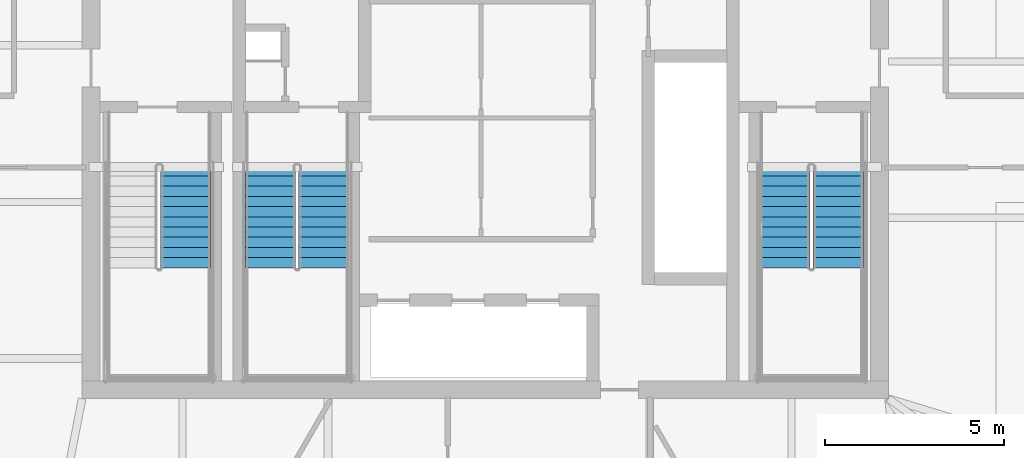
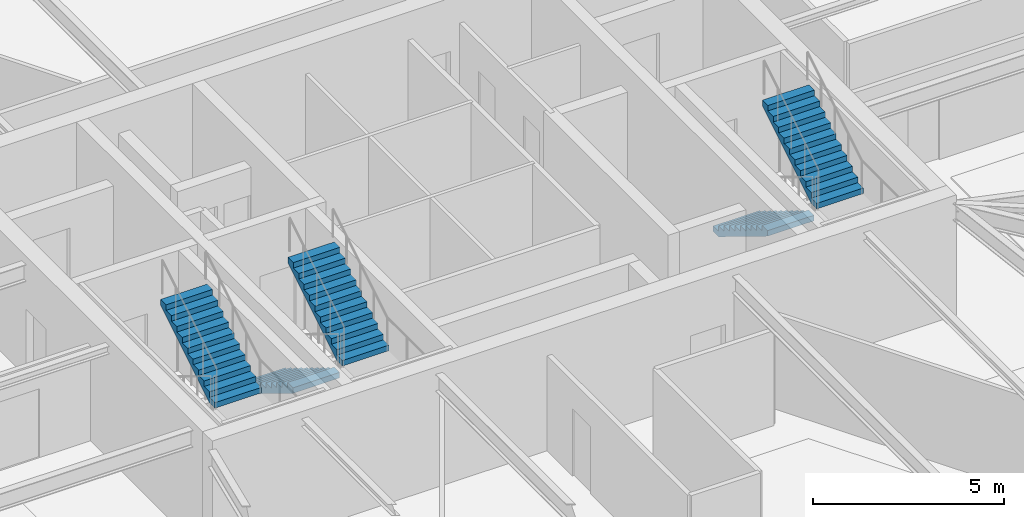
# One storey, part 16 of 20: 5 stair flights, 3 elements without a shape of their own.
"""IFC4 building model written with IfcOpenShell, lengths in metres."""

from ifc_helpers import new_model, si_unit, direction, frame, origin, place, context, subcontext, project, spatial, polyline, outline, extrude, material, type_object, element, aggregate, save


model = new_model("IFC4")

# Units and contexts
model_context = context("Model", 3, precision=1e-05, world=origin(), true_north=direction((0.0, 1.0)))
body_context = subcontext(model_context, "Body", "Model", "MODEL_VIEW")
ifc_project = project(units=[si_unit("LENGTHUNIT", "METRE"), si_unit("AREAUNIT", "SQUARE_METRE"), si_unit("VOLUMEUNIT", "CUBIC_METRE"), si_unit("PLANEANGLEUNIT", "RADIAN"), si_unit("MASSUNIT", "GRAM", prefix="KILO")], contexts=[model_context])

# Site, building, storey
site_placement = place(None, origin())
site = spatial("IfcSite", under=ifc_project, at=site_placement, CompositionType="ELEMENT")
building_placement = place(site_placement, origin())
building = spatial("IfcBuilding", under=site, at=building_placement, Name="Bramvorn Convention Spire", CompositionType="ELEMENT")
storey_placement = place(building_placement, frame((0.0, 0.0, 178.89990234375)))
storey = spatial("IfcBuildingStorey", under=building, at=storey_placement, Name="L45", CompositionType="ELEMENT", Elevation=178.89990234375)

# Stair, stair flight
ifc_material_1 = material(Name="Concrete C40/50 Precast Stair", Category="concrete")
stair_type = type_object("IfcStairType", Name="ST-TOWER-1550", PredefinedType="HALF_TURN_STAIR", material=ifc_material_1)
stair_1_placement = place(storey_placement, origin())
stair_1 = element("IfcStair", 1, at=stair_1_placement, inside=storey, type_object=stair_type, Name="L45 Protected Exit Stair ST1", PredefinedType="HALF_TURN_STAIR")
ifc_material_2 = material(Name="Concrete C40/50 Precast Stair Flight", Category="concrete")
stair_flight_type = type_object("IfcStairFlightType", Name="STF-TOWER-1550", PredefinedType="STRAIGHT", material=ifc_material_2)
stair_flight_1_placement = place(storey_placement, frame((29.64501953125, 22.199951171875, 1.925048828125), z_axis=(0.0, 0.0, 1.0), x_axis=(0.0, 1.0, 0.0)))
stair_flight_1 = element("IfcStairFlight", 2, at=stair_flight_1_placement, type_object=stair_flight_type, Name="ST1 flight 2", NumberOfRisers=11, NumberOfTreads=10, PredefinedType="STRAIGHT", RiserHeight=0.175, TreadLength=0.285, context=body_context, shape_type="SweptSolid", body=[
    extrude(outline(polyline([(0.0, 0.0), (0.0, 0.175048828125), (0.284912109375, 0.175048828125), (0.284912109375, 0.35009765625), (0.570068359375, 0.35009765625), (0.570068359375, 0.52490234375), (0.85498046875, 0.52490234375), (0.85498046875, 0.699951171875), (1.139892578125, 0.699951171875), (1.139892578125, 0.875), (1.425048828125, 0.875), (1.425048828125, 1.050048828125), (1.7099609375, 1.050048828125), (1.7099609375, 1.22509765625), (1.9951171875, 1.22509765625), (1.9951171875, 1.39990234375), (2.280029296875, 1.39990234375), (2.280029296875, 1.574951171875), (2.56494140625, 1.574951171875), (2.56494140625, 1.75), (2.85009765625, 1.75), (2.85009765625, 1.925048828125), (2.85009765625, 1.573974609375), (0.286376953125, 0.0), (0.0, 0.0)])), frame((0.0, 0.705078125, 0.0), z_axis=(0.0, -1.0, 0.0), x_axis=(1.0, 0.0, 0.0)), (0.0, 0.0, 1.0), 1.409912109375),
])
aggregate(stair_1, [stair_flight_1])

# Stair, stair flights
stair_2_placement = place(storey_placement, origin())
stair_2 = element("IfcStair", 3, at=stair_2_placement, inside=storey, type_object=stair_type, Name="L45 Protected Exit Stair ST2", PredefinedType="HALF_TURN_STAIR")
stair_flight_2_placement = place(storey_placement, frame((46.35498046875, 25.050048828125, 0.0), z_axis=(0.0, 0.0, 1.0), x_axis=(0.0, -1.0, 0.0)))
stair_flight_2 = element("IfcStairFlight", 4, at=stair_flight_2_placement, type_object=stair_flight_type, Name="ST2 flight 1", NumberOfRisers=11, NumberOfTreads=10, PredefinedType="STRAIGHT", RiserHeight=0.175, TreadLength=0.285, context=body_context, shape_type="SweptSolid", body=[
    extrude(outline(polyline([(0.0, 0.0), (0.0, 0.175048828125), (0.284912109375, 0.175048828125), (0.284912109375, 0.35009765625), (0.570068359375, 0.35009765625), (0.570068359375, 0.52490234375), (0.85498046875, 0.52490234375), (0.85498046875, 0.699951171875), (1.139892578125, 0.699951171875), (1.139892578125, 0.875), (1.425048828125, 0.875), (1.425048828125, 1.050048828125), (1.7099609375, 1.050048828125), (1.7099609375, 1.22509765625), (1.9951171875, 1.22509765625), (1.9951171875, 1.39990234375), (2.280029296875, 1.39990234375), (2.280029296875, 1.574951171875), (2.56494140625, 1.574951171875), (2.56494140625, 1.75), (2.85009765625, 1.75), (2.85009765625, 1.925048828125), (2.85009765625, 1.573974609375), (0.286376953125, 0.0), (0.0, 0.0)])), frame((0.0, 0.705078125, 0.0), z_axis=(0.0, -1.0, 0.0), x_axis=(1.0, 0.0, 0.0)), (0.0, 0.0, 1.0), 1.409912109375),
])
stair_flight_3_placement = place(storey_placement, frame((47.844970703125, 22.199951171875, 1.925048828125), z_axis=(0.0, 0.0, 1.0), x_axis=(0.0, 1.0, 0.0)))
stair_flight_3 = element("IfcStairFlight", 5, at=stair_flight_3_placement, type_object=stair_flight_type, Name="ST2 flight 2", NumberOfRisers=11, NumberOfTreads=10, PredefinedType="STRAIGHT", RiserHeight=0.175, TreadLength=0.285, context=body_context, shape_type="SweptSolid", body=[
    extrude(outline(polyline([(0.0, 0.0), (0.0, 0.175048828125), (0.284912109375, 0.175048828125), (0.284912109375, 0.35009765625), (0.570068359375, 0.35009765625), (0.570068359375, 0.52490234375), (0.85498046875, 0.52490234375), (0.85498046875, 0.699951171875), (1.139892578125, 0.699951171875), (1.139892578125, 0.875), (1.425048828125, 0.875), (1.425048828125, 1.050048828125), (1.7099609375, 1.050048828125), (1.7099609375, 1.22509765625), (1.9951171875, 1.22509765625), (1.9951171875, 1.39990234375), (2.280029296875, 1.39990234375), (2.280029296875, 1.574951171875), (2.56494140625, 1.574951171875), (2.56494140625, 1.75), (2.85009765625, 1.75), (2.85009765625, 1.925048828125), (2.85009765625, 1.573974609375), (0.286376953125, 0.0), (0.0, 0.0)])), frame((0.0, 0.705078125, 0.0), z_axis=(0.0, -1.0, 0.0), x_axis=(1.0, 0.0, 0.0)), (0.0, 0.0, 1.0), 1.409912109375),
])
aggregate(stair_2, [stair_flight_2, stair_flight_3])

stair_3_placement = place(storey_placement, origin())
stair_3 = element("IfcStair", 6, at=stair_3_placement, inside=storey, type_object=stair_type, Name="L45 Protected Exit Stair ST3", PredefinedType="HALF_TURN_STAIR")
stair_flight_4_placement = place(storey_placement, frame((32.0048828125, 25.050048828125, 0.0), z_axis=(0.0, 0.0, 1.0), x_axis=(0.0, -1.0, 0.0)))
stair_flight_4 = element("IfcStairFlight", 7, at=stair_flight_4_placement, type_object=stair_flight_type, Name="ST3 flight 1", NumberOfRisers=11, NumberOfTreads=10, PredefinedType="STRAIGHT", RiserHeight=0.175, TreadLength=0.285, context=body_context, shape_type="SweptSolid", body=[
    extrude(outline(polyline([(0.0, 0.0), (0.0, 0.175048828125), (0.284912109375, 0.175048828125), (0.284912109375, 0.35009765625), (0.570068359375, 0.35009765625), (0.570068359375, 0.52490234375), (0.85498046875, 0.52490234375), (0.85498046875, 0.699951171875), (1.139892578125, 0.699951171875), (1.139892578125, 0.875), (1.425048828125, 0.875), (1.425048828125, 1.050048828125), (1.7099609375, 1.050048828125), (1.7099609375, 1.22509765625), (1.9951171875, 1.22509765625), (1.9951171875, 1.39990234375), (2.280029296875, 1.39990234375), (2.280029296875, 1.574951171875), (2.56494140625, 1.574951171875), (2.56494140625, 1.75), (2.85009765625, 1.75), (2.85009765625, 1.925048828125), (2.85009765625, 1.573974609375), (0.286376953125, 0.0), (0.0, 0.0)])), frame((0.0, 0.705078125, 0.0), z_axis=(0.0, -1.0, 0.0), x_axis=(1.0, 0.0, 0.0)), (0.0, 0.0, 1.0), 1.409912109375),
])
stair_flight_5_placement = place(storey_placement, frame((33.4951171875, 22.199951171875, 1.925048828125), z_axis=(0.0, 0.0, 1.0), x_axis=(0.0, 1.0, 0.0)))
stair_flight_5 = element("IfcStairFlight", 8, at=stair_flight_5_placement, type_object=stair_flight_type, Name="ST3 flight 2", NumberOfRisers=11, NumberOfTreads=10, PredefinedType="STRAIGHT", RiserHeight=0.175, TreadLength=0.285, context=body_context, shape_type="SweptSolid", body=[
    extrude(outline(polyline([(0.0, 0.0), (0.0, 0.175048828125), (0.284912109375, 0.175048828125), (0.284912109375, 0.35009765625), (0.570068359375, 0.35009765625), (0.570068359375, 0.52490234375), (0.85498046875, 0.52490234375), (0.85498046875, 0.699951171875), (1.139892578125, 0.699951171875), (1.139892578125, 0.875), (1.425048828125, 0.875), (1.425048828125, 1.050048828125), (1.7099609375, 1.050048828125), (1.7099609375, 1.22509765625), (1.9951171875, 1.22509765625), (1.9951171875, 1.39990234375), (2.280029296875, 1.39990234375), (2.280029296875, 1.574951171875), (2.56494140625, 1.574951171875), (2.56494140625, 1.75), (2.85009765625, 1.75), (2.85009765625, 1.925048828125), (2.85009765625, 1.573974609375), (0.286376953125, 0.0), (0.0, 0.0)])), frame((0.0, 0.705078125, 0.0), z_axis=(0.0, -1.0, 0.0), x_axis=(1.0, 0.0, 0.0)), (0.0, 0.0, 1.0), 1.409912109375),
])
aggregate(stair_3, [stair_flight_4, stair_flight_5])

save(model, "model.ifc")
